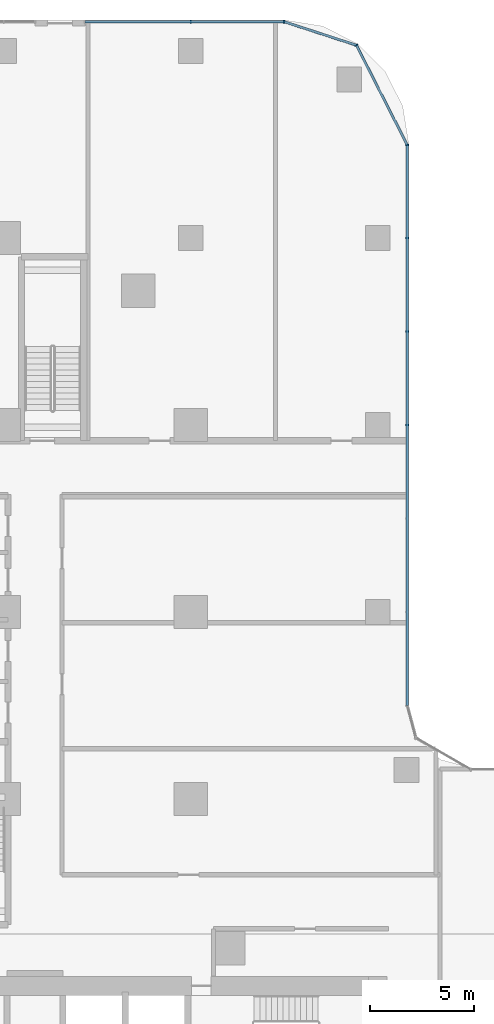
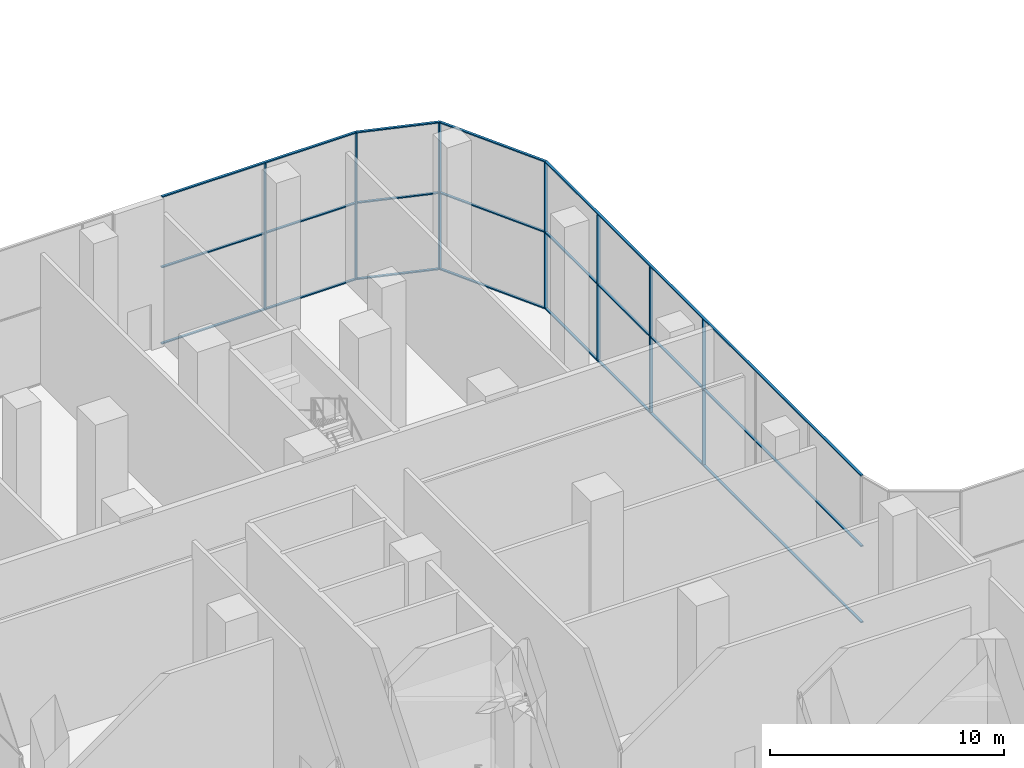
# One storey, part 19 of 54: 19 members, 3 elements without a shape of their own.
"""IFC4 building model written with IfcOpenShell, lengths in metres."""

from ifc_helpers import new_model, si_unit, direction, frame, origin, origin_2d, place, context, subcontext, project, spatial, rectangle, extrude, material, material_profile, profile_set, type_object, element, aggregate, save


model = new_model("IFC4")

# Units and contexts
model_context = context("Model", 3, precision=1e-05, world=origin(), true_north=direction((0.0, 1.0)))
body_context = subcontext(model_context, "Body", "Model", "MODEL_VIEW")
ifc_project = project(units=[si_unit("LENGTHUNIT", "METRE"), si_unit("AREAUNIT", "SQUARE_METRE"), si_unit("VOLUMEUNIT", "CUBIC_METRE"), si_unit("PLANEANGLEUNIT", "RADIAN"), si_unit("MASSUNIT", "GRAM", prefix="KILO")], contexts=[model_context])

# Site, building, storey
site_placement = place(None, origin())
site = spatial("IfcSite", under=ifc_project, at=site_placement, CompositionType="ELEMENT")
building_placement = place(site_placement, origin())
building = spatial("IfcBuilding", under=site, at=building_placement, Name="Ogive Portal Towers", CompositionType="ELEMENT")
storey_placement = place(building_placement, origin())
storey = spatial("IfcBuildingStorey", under=building, at=storey_placement, Name="L00", CompositionType="ELEMENT", Elevation=0.0)

# Curtain wall, members
ifc_material_1 = material(Name="Glass, clear low-iron insulated glazing", Category="glass")
curtain_wall_type = type_object("IfcCurtainWallType", Name="CW PODIUM SHOPFRONT", PredefinedType="NOTDEFINED", material=ifc_material_1)
curtain_wall_1_placement = place(storey_placement, origin())
curtain_wall_1 = element("IfcCurtainWall", 1, at=curtain_wall_1_placement, inside=storey, type_object=curtain_wall_type, Name="A:L00:f11:cw0", PredefinedType="NOTDEFINED")
ifc_material_2 = material(Name="Aluminium 6063 anodised", Category="aluminium")
ifc_material_profile_1 = material_profile(ifc_material_2, rectangle(XDim=0.159912109375, YDim=0.06005859375, at=origin_2d()), Name="AL 60x160")
ifc_profile_set_1 = profile_set([ifc_material_profile_1], Name="Aluminium 6063 anodised")
member_type_1 = type_object("IfcMemberType", Name="CW MULLION 60x160", PredefinedType="MULLION", material=ifc_profile_set_1)
member_1_placement = place(storey_placement, frame((59.919921875, 66.5, 0.06005859375), z_axis=(0.0, 0.0, 1.0), x_axis=(-1.0, 0.0, 0.0)))
member_1 = element("IfcMember", 2, at=member_1_placement, type_object=member_type_1, Name="mullion", PredefinedType="MULLION", context=body_context, shape_type="SweptSolid", body=[
    extrude(rectangle(XDim=0.159912109375, YDim=0.06005859375, at=origin_2d()), origin(), (0.0, 0.0, 1.0), 7.579833984375),
])
member_2_placement = place(storey_placement, frame((59.919921875, 71.0, 0.06005859375), z_axis=(0.0, 0.0, 1.0), x_axis=(-1.0, 0.0, 0.0)))
member_2 = element("IfcMember", 3, at=member_2_placement, type_object=member_type_1, Name="mullion", PredefinedType="MULLION", context=body_context, shape_type="SweptSolid", body=[
    extrude(rectangle(XDim=0.159912109375, YDim=0.06005859375, at=origin_2d()), origin(), (0.0, 0.0, 1.0), 7.579833984375),
])
member_3_placement = place(storey_placement, frame((59.919921875, 75.5, 0.06005859375), z_axis=(0.0, 0.0, 1.0), x_axis=(-1.0, 0.0, 0.0)))
member_3 = element("IfcMember", 4, at=member_3_placement, type_object=member_type_1, Name="mullion", PredefinedType="MULLION", context=body_context, shape_type="SweptSolid", body=[
    extrude(rectangle(XDim=0.159912109375, YDim=0.06005859375, at=origin_2d()), origin(), (0.0, 0.0, 1.0), 7.579833984375),
])
member_4_placement = place(storey_placement, frame((59.919921875, 79.980712890625, 0.06005859375), z_axis=(0.0, 0.0, 1.0), x_axis=(-1.0, 0.0, 0.0)))
member_4 = element("IfcMember", 5, at=member_4_placement, type_object=member_type_1, Name="mullion", PredefinedType="MULLION", context=body_context, shape_type="SweptSolid", body=[
    extrude(rectangle(XDim=0.159912109375, YDim=0.06005859375, at=origin_2d()), origin(), (0.0, 0.0, 1.0), 7.579833984375),
])

curtain_wall_2_placement = place(storey_placement, origin())
curtain_wall_2 = element("IfcCurtainWall", 6, at=curtain_wall_2_placement, inside=storey, type_object=curtain_wall_type, Name="A:L00:f14:cw0", PredefinedType="NOTDEFINED")
member_5_placement = place(storey_placement, frame((53.9873046875, 85.919921875, 0.06005859375), z_axis=(0.0, 0.0, 1.0), x_axis=(0.0, -1.0, 0.0)))
member_5 = element("IfcMember", 7, at=member_5_placement, type_object=member_type_1, Name="mullion", PredefinedType="MULLION", context=body_context, shape_type="SweptSolid", body=[
    extrude(rectangle(XDim=0.159912109375, YDim=0.06005859375, at=origin_2d()), origin(), (0.0, 0.0, 1.0), 7.579833984375),
])
member_6_placement = place(storey_placement, frame((49.5, 85.919921875, 0.06005859375), z_axis=(0.0, 0.0, 1.0), x_axis=(0.0, -1.0, 0.0)))
member_6 = element("IfcMember", 8, at=member_6_placement, type_object=member_type_1, Name="mullion", PredefinedType="MULLION", context=body_context, shape_type="SweptSolid", body=[
    extrude(rectangle(XDim=0.159912109375, YDim=0.06005859375, at=origin_2d()), origin(), (0.0, 0.0, 1.0), 7.579833984375),
])

# Curtain wall, member
curtain_wall_3_placement = place(storey_placement, origin())
curtain_wall_3 = element("IfcCurtainWall", 9, at=curtain_wall_3_placement, inside=storey, type_object=curtain_wall_type, Name="A:L00:f12:cwa", PredefinedType="NOTDEFINED")
member_7_placement = place(storey_placement, frame((57.470458984375, 84.788330078125, 0.06005859375), z_axis=(0.0, 0.0, 1.0), x_axis=(-0.891006524188, -0.45399049974, 0.0)))
member_7 = element("IfcMember", 10, at=member_7_placement, type_object=member_type_1, Name="mullion", PredefinedType="MULLION", context=body_context, shape_type="SweptSolid", body=[
    extrude(rectangle(XDim=0.159912109375, YDim=0.06005859375, at=origin_2d()), origin(), (0.0, 0.0, 1.0), 7.579833984375),
])

# Member
ifc_material_profile_2 = material_profile(ifc_material_2, rectangle(XDim=0.1201171875, YDim=0.06005859375, at=origin_2d()), Name="AL 120x60")
ifc_profile_set_2 = profile_set([ifc_material_profile_2], Name="Aluminium 6063 anodised")
member_type_2 = type_object("IfcMemberType", Name="CW TRANSOM 60x120", PredefinedType="USERDEFINED", material=ifc_profile_set_2)
member_8_placement = place(storey_placement, frame((59.919921875, 52.989501953125, 0.030029296875), z_axis=(0.0, 1.0, 0.0), x_axis=(-1.0, 0.0, 0.0)))
member_8 = element("IfcMember", 11, at=member_8_placement, type_object=member_type_2, Name="transom", ObjectType="TRANSOM", PredefinedType="USERDEFINED", context=body_context, shape_type="SweptSolid", body=[
    extrude(rectangle(XDim=0.1201171875, YDim=0.06005859375, at=origin_2d()), origin(), (0.0, 0.0, 1.0), 26.9912109375),
])

member_9_placement = place(storey_placement, frame((59.919921875, 52.989501953125, 4.0), z_axis=(0.0, 1.0, 0.0), x_axis=(-1.0, 0.0, 0.0)))
member_9 = element("IfcMember", 12, at=member_9_placement, type_object=member_type_2, Name="transom", ObjectType="TRANSOM", PredefinedType="USERDEFINED", context=body_context, shape_type="SweptSolid", body=[
    extrude(rectangle(XDim=0.1201171875, YDim=0.06005859375, at=origin_2d()), origin(), (0.0, 0.0, 1.0), 26.9912109375),
])

member_10_placement = place(storey_placement, frame((59.919921875, 52.989501953125, 7.669921875), z_axis=(0.0, 1.0, 0.0), x_axis=(-1.0, 0.0, 0.0)))
member_10 = element("IfcMember", 13, at=member_10_placement, type_object=member_type_2, Name="transom", ObjectType="TRANSOM", PredefinedType="USERDEFINED", context=body_context, shape_type="SweptSolid", body=[
    extrude(rectangle(XDim=0.1201171875, YDim=0.06005859375, at=origin_2d()), origin(), (0.0, 0.0, 1.0), 26.9912109375),
])

aggregate(curtain_wall_1, [member_8, member_9, member_10, member_1, member_2, member_3, member_4])

member_11_placement = place(storey_placement, frame((53.9873046875, 85.919921875, 0.030029296875), z_axis=(-1.0, 0.0, 0.0), x_axis=(0.0, -1.0, 0.0)))
member_11 = element("IfcMember", 14, at=member_11_placement, type_object=member_type_2, Name="transom", ObjectType="TRANSOM", PredefinedType="USERDEFINED", context=body_context, shape_type="SweptSolid", body=[
    extrude(rectangle(XDim=0.1201171875, YDim=0.06005859375, at=origin_2d()), origin(), (0.0, 0.0, 1.0), 9.588623046875),
])

member_12_placement = place(storey_placement, frame((53.9873046875, 85.919921875, 4.0), z_axis=(-1.0, 0.0, 0.0), x_axis=(0.0, -1.0, 0.0)))
member_12 = element("IfcMember", 15, at=member_12_placement, type_object=member_type_2, Name="transom", ObjectType="TRANSOM", PredefinedType="USERDEFINED", context=body_context, shape_type="SweptSolid", body=[
    extrude(rectangle(XDim=0.1201171875, YDim=0.06005859375, at=origin_2d()), origin(), (0.0, 0.0, 1.0), 9.588623046875),
])

member_13_placement = place(storey_placement, frame((53.9873046875, 85.919921875, 7.669921875), z_axis=(-1.0, 0.0, 0.0), x_axis=(0.0, -1.0, 0.0)))
member_13 = element("IfcMember", 16, at=member_13_placement, type_object=member_type_2, Name="transom", ObjectType="TRANSOM", PredefinedType="USERDEFINED", context=body_context, shape_type="SweptSolid", body=[
    extrude(rectangle(XDim=0.1201171875, YDim=0.06005859375, at=origin_2d()), origin(), (0.0, 0.0, 1.0), 9.588623046875),
])

aggregate(curtain_wall_2, [member_11, member_12, member_13, member_5, member_6])

member_14_placement = place(storey_placement, frame((59.919921875, 79.980712890625, 0.030029296875), z_axis=(-0.453969839149, 0.891017050983, 0.0), x_axis=(-0.891017050983, -0.453969839149, 0.0)))
member_14 = element("IfcMember", 17, at=member_14_placement, type_object=member_type_2, Name="transom", ObjectType="TRANSOM", PredefinedType="USERDEFINED", context=body_context, shape_type="SweptSolid", body=[
    extrude(rectangle(XDim=0.1201171875, YDim=0.06005859375, at=origin_2d()), origin(), (0.0, 0.0, 1.0), 5.395751953125),
])

member_15_placement = place(storey_placement, frame((59.919921875, 79.980712890625, 4.0), z_axis=(-0.453969839149, 0.891017050983, 0.0), x_axis=(-0.891017050983, -0.453969839149, 0.0)))
member_15 = element("IfcMember", 18, at=member_15_placement, type_object=member_type_2, Name="transom", ObjectType="TRANSOM", PredefinedType="USERDEFINED", context=body_context, shape_type="SweptSolid", body=[
    extrude(rectangle(XDim=0.1201171875, YDim=0.06005859375, at=origin_2d()), origin(), (0.0, 0.0, 1.0), 5.395751953125),
])

member_16_placement = place(storey_placement, frame((59.919921875, 79.980712890625, 7.669921875), z_axis=(-0.453969839149, 0.891017050983, 0.0), x_axis=(-0.891017050983, -0.453969839149, 0.0)))
member_16 = element("IfcMember", 19, at=member_16_placement, type_object=member_type_2, Name="transom", ObjectType="TRANSOM", PredefinedType="USERDEFINED", context=body_context, shape_type="SweptSolid", body=[
    extrude(rectangle(XDim=0.1201171875, YDim=0.06005859375, at=origin_2d()), origin(), (0.0, 0.0, 1.0), 5.395751953125),
])

member_17_placement = place(storey_placement, frame((57.470458984375, 84.788330078125, 0.030029296875), z_axis=(-0.951068844598, 0.308979049184, 0.0), x_axis=(-0.308979049184, -0.951068844598, 0.0)))
member_17 = element("IfcMember", 20, at=member_17_placement, type_object=member_type_2, Name="transom", ObjectType="TRANSOM", PredefinedType="USERDEFINED", context=body_context, shape_type="SweptSolid", body=[
    extrude(rectangle(XDim=0.1201171875, YDim=0.06005859375, at=origin_2d()), origin(), (0.0, 0.0, 1.0), 3.662353515625),
])

member_18_placement = place(storey_placement, frame((57.470458984375, 84.788330078125, 4.0), z_axis=(-0.951068844598, 0.308979049184, 0.0), x_axis=(-0.308979049184, -0.951068844598, 0.0)))
member_18 = element("IfcMember", 21, at=member_18_placement, type_object=member_type_2, Name="transom", ObjectType="TRANSOM", PredefinedType="USERDEFINED", context=body_context, shape_type="SweptSolid", body=[
    extrude(rectangle(XDim=0.1201171875, YDim=0.06005859375, at=origin_2d()), origin(), (0.0, 0.0, 1.0), 3.662353515625),
])

member_19_placement = place(storey_placement, frame((57.470458984375, 84.788330078125, 7.669921875), z_axis=(-0.951068844598, 0.308979049184, 0.0), x_axis=(-0.308979049184, -0.951068844598, 0.0)))
member_19 = element("IfcMember", 22, at=member_19_placement, type_object=member_type_2, Name="transom", ObjectType="TRANSOM", PredefinedType="USERDEFINED", context=body_context, shape_type="SweptSolid", body=[
    extrude(rectangle(XDim=0.1201171875, YDim=0.06005859375, at=origin_2d()), origin(), (0.0, 0.0, 1.0), 3.662353515625),
])

aggregate(curtain_wall_3, [member_14, member_15, member_16, member_17, member_18, member_19, member_7])

save(model, "model.ifc")
